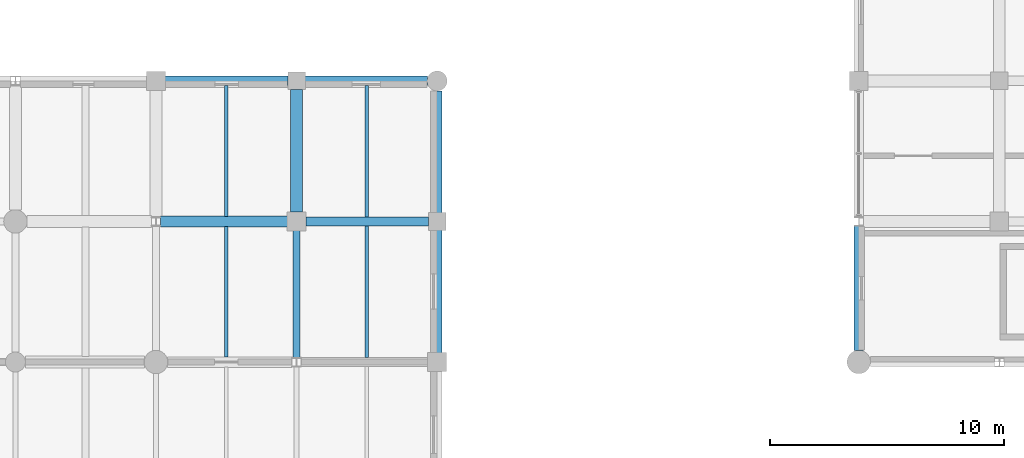
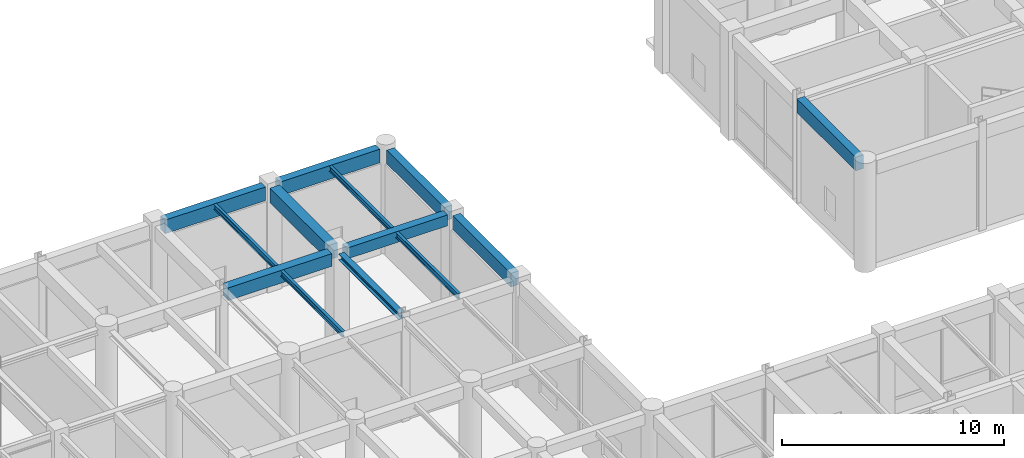
# One storey, part 37 of 106: 13 beams.
"""IFC4 building model written with IfcOpenShell, lengths in metres."""

from ifc_helpers import new_model, si_unit, direction, frame, origin, origin_2d, place, context, subcontext, project, spatial, rectangle, i_section, extrude, material, material_profile, profile_set, type_object, element, save


model = new_model("IFC4")

# Units and contexts
model_context = context("Model", 3, precision=1e-05, world=origin(), true_north=direction((0.0, 1.0)))
body_context = subcontext(model_context, "Body", "Model", "MODEL_VIEW")
ifc_project = project(units=[si_unit("LENGTHUNIT", "METRE"), si_unit("AREAUNIT", "SQUARE_METRE"), si_unit("VOLUMEUNIT", "CUBIC_METRE"), si_unit("PLANEANGLEUNIT", "RADIAN"), si_unit("MASSUNIT", "GRAM", prefix="KILO"), si_unit("THERMODYNAMICTEMPERATUREUNIT", "KELVIN"), si_unit("POWERUNIT", "WATT")], contexts=[model_context])

# Site, building, storey
site_placement = place(None, origin())
site = spatial("IfcSite", under=ifc_project, at=site_placement, CompositionType="ELEMENT")
building_placement = place(site_placement, origin())
building = spatial("IfcBuilding", under=site, at=building_placement, Name="Phaisarnlok Congress Hotel", CompositionType="ELEMENT")
storey_placement = place(building_placement, origin())
storey = spatial("IfcBuildingStorey", under=building, at=storey_placement, Name="L00", CompositionType="ELEMENT", Elevation=0.0)

# Beams
ifc_material_1 = material(Name="Concrete C40/50", Category="concrete")
ifc_material_profile_1 = material_profile(ifc_material_1, rectangle(XDim=0.39990234375, YDim=0.60009765625, at=origin_2d()), Name="RC 400x600")
ifc_profile_set_1 = profile_set([ifc_material_profile_1], Name="Concrete C40/50")
beam_type_1 = type_object("IfcBeamType", Name="BM-RC-400x600", PredefinedType="BEAM", material=ifc_profile_set_1)
beam_1_placement = place(storey_placement, frame((36.39501953125, 114.0, 5.43994140625), z_axis=(1.0, 0.0, 0.0), x_axis=(0.0, 1.0, 0.0)))
element("IfcBeam", 1, at=beam_1_placement, inside=storey, type_object=beam_type_1, Name="Beam B-02", PredefinedType="BEAM", context=body_context, shape_type="SweptSolid", body=[
    extrude(rectangle(XDim=0.39990234375, YDim=0.60009765625, at=origin_2d()), origin(), (0.0, 0.0, 1.0), 5.23486328125),
])
ifc_material_profile_2 = material_profile(ifc_material_1, rectangle(XDim=0.449951171875, YDim=0.699951171875, at=origin_2d()), Name="RC 450x700")
ifc_profile_set_2 = profile_set([ifc_material_profile_2], Name="Concrete C40/50")
beam_type_2 = type_object("IfcBeamType", Name="BM-RC-450x700", PredefinedType="BEAM", material=ifc_profile_set_2)
beam_2_placement = place(storey_placement, frame((30.195556640625, 114.0, 5.389892578125), z_axis=(1.0, 0.0, 0.0), x_axis=(0.0, 1.0, 0.0)))
element("IfcBeam", 2, at=beam_2_placement, inside=storey, type_object=beam_type_2, Name="Beam B-03", PredefinedType="BEAM", context=body_context, shape_type="SweptSolid", body=[
    extrude(rectangle(XDim=0.449951171875, YDim=0.699951171875, at=origin_2d()), origin(), (0.0, 0.0, 1.0), 5.409423828125),
])
ifc_material_profile_3 = material_profile(ifc_material_1, rectangle(XDim=0.5, YDim=0.800048828125, at=origin_2d()), Name="RC 500x800")
ifc_profile_set_3 = profile_set([ifc_material_profile_3], Name="Concrete C40/50")
beam_type_3 = type_object("IfcBeamType", Name="BM-RC-500x800", PredefinedType="BEAM", material=ifc_profile_set_3)
beam_3_placement = place(storey_placement, frame((36.0, 114.39501953125, 5.340087890625), z_axis=(0.0, 1.0, 0.0), x_axis=(-1.0, 0.0, 0.0)))
element("IfcBeam", 3, at=beam_3_placement, inside=storey, type_object=beam_type_3, Name="Beam B-04", PredefinedType="BEAM", context=body_context, shape_type="SweptSolid", body=[
    extrude(rectangle(XDim=0.5, YDim=0.800048828125, at=origin_2d()), origin(), (0.0, 0.0, 1.0), 5.23486328125),
])
ifc_material_2 = material(Name="Steel S355", Category="steel")
ifc_material_profile_4 = material_profile(ifc_material_2, i_section(OverallWidth=0.300048828125, OverallDepth=0.340087890625, WebThickness=0.011962890625, FlangeThickness=0.021484375, FilletRadius=0.027099609375, at=origin_2d()), Name="HEB 340")
ifc_profile_set_4 = profile_set([ifc_material_profile_4], Name="Steel S355")
beam_type_4 = type_object("IfcBeamType", Name="BM-STL-HEB340", PredefinedType="BEAM", material=ifc_profile_set_4)
beam_4_placement = place(storey_placement, frame((36.0, 108.194580078125, 5.570068359375), z_axis=(0.0, 1.0, 0.0), x_axis=(-1.0, 0.0, 0.0)))
element("IfcBeam", 4, at=beam_4_placement, inside=storey, type_object=beam_type_4, Name="Beam SB-07", PredefinedType="BEAM", context=body_context, shape_type="SweptSolid", body=[
    extrude(i_section(OverallWidth=0.300048828125, OverallDepth=0.340087890625, WebThickness=0.011962890625, FlangeThickness=0.021484375, FilletRadius=0.027099609375, at=origin_2d()), origin(), (0.0, 0.0, 1.0), 5.410400390625),
])
ifc_material_profile_5 = material_profile(ifc_material_2, i_section(OverallWidth=0.14990234375, OverallDepth=0.300048828125, WebThickness=0.007080078125, FlangeThickness=0.0107421875, FilletRadius=0.014892578125, at=origin_2d()), Name="IPE 300")
ifc_profile_set_5 = profile_set([ifc_material_profile_5], Name="Steel S355")
beam_type_5 = type_object("IfcBeamType", Name="JS-STL-IPE300", PredefinedType="JOIST", material=ifc_profile_set_5)
beam_5_placement = place(storey_placement, frame((33.0, 108.219970703125, 5.590087890625), z_axis=(0.0, 1.0, 0.0), x_axis=(-1.0, 0.0, 0.0)))
element("IfcBeam", 5, at=beam_5_placement, inside=storey, type_object=beam_type_5, Name="Secondary floor joist J-03", PredefinedType="JOIST", context=body_context, shape_type="SweptSolid", body=[
    extrude(i_section(OverallWidth=0.14990234375, OverallDepth=0.300048828125, WebThickness=0.007080078125, FlangeThickness=0.0107421875, FilletRadius=0.014892578125, at=origin_2d()), origin(), (0.0, 0.0, 1.0), 5.56005859375),
])
beam_6_placement = place(storey_placement, frame((33.0, 114.219970703125, 5.590087890625), z_axis=(0.0, 1.0, 0.0), x_axis=(-1.0, 0.0, 0.0)))
element("IfcBeam", 6, at=beam_6_placement, inside=storey, type_object=beam_type_5, Name="Secondary floor joist J-03", PredefinedType="JOIST", context=body_context, shape_type="SweptSolid", body=[
    extrude(i_section(OverallWidth=0.14990234375, OverallDepth=0.300048828125, WebThickness=0.007080078125, FlangeThickness=0.0107421875, FilletRadius=0.014892578125, at=origin_2d()), origin(), (0.0, 0.0, 1.0), 5.5849609375),
])
for number, where, z_axis, x_axis, name in (
    (7, (39.0, 108.195068359375, 5.590087890625), (0.0, 1.0, 0.0), (-1.0, 0.0, 0.0), "Secondary floor joist J-03"),
    (8, (39.0, 114.195068359375, 5.590087890625), (0.0, 1.0, 0.0), (-1.0, 0.0, 0.0), "Secondary floor joist J-03"),
):
    element("IfcBeam", number, at=place(storey_placement, frame(where, z_axis=z_axis, x_axis=x_axis)), inside=storey, type_object=beam_type_5, Name=name, PredefinedType="JOIST", context=body_context, shape_type="SweptSolid", body=[
        extrude(i_section(OverallWidth=0.14990234375, OverallDepth=0.300048828125, WebThickness=0.007080078125, FlangeThickness=0.0107421875, FilletRadius=0.014892578125, at=origin_2d()), origin(), (0.0, 0.0, 1.0), 5.60986328125),
    ])
ifc_material_profile_6 = material_profile(ifc_material_1, rectangle(XDim=0.39990234375, YDim=0.75, at=origin_2d()), Name="RC 400x750")
ifc_profile_set_6 = profile_set([ifc_material_profile_6], Name="Concrete C40/50")
beam_type_6 = type_object("IfcBeamType", Name="SP-RC-400x750", PredefinedType="SPANDREL", material=ifc_profile_set_6)
beam_7_placement = place(storey_placement, frame((30.39501953125, 120.0, 5.364990234375), z_axis=(1.0, 0.0, 0.0), x_axis=(0.0, 1.0, 0.0)))
element("IfcBeam", 9, at=beam_7_placement, inside=storey, type_object=beam_type_6, Name="Beam SP-02", PredefinedType="SPANDREL", context=body_context, shape_type="SweptSolid", body=[
    extrude(rectangle(XDim=0.39990234375, YDim=0.75, at=origin_2d()), origin(), (0.0, 0.0, 1.0), 5.23486328125),
])
beam_8_placement = place(storey_placement, frame((36.3701171875, 120.0, 5.364990234375), z_axis=(1.0, 0.0, 0.0), x_axis=(0.0, 1.0, 0.0)))
element("IfcBeam", 10, at=beam_8_placement, inside=storey, type_object=beam_type_6, Name="Beam SP-02", PredefinedType="SPANDREL", context=body_context, shape_type="SweptSolid", body=[
    extrude(rectangle(XDim=0.39990234375, YDim=0.75, at=origin_2d()), origin(), (0.0, 0.0, 1.0), 5.2099609375),
])
beam_9_placement = place(storey_placement, frame((42.0, 108.39501953125, 5.364990234375), z_axis=(0.0, 1.0, 0.0), x_axis=(-1.0, 0.0, 0.0)))
element("IfcBeam", 11, at=beam_9_placement, inside=storey, type_object=beam_type_6, Name="Beam SP-02", PredefinedType="SPANDREL", context=body_context, shape_type="SweptSolid", body=[
    extrude(rectangle(XDim=0.39990234375, YDim=0.75, at=origin_2d()), origin(), (0.0, 0.0, 1.0), 5.23486328125),
])
beam_10_placement = place(storey_placement, frame((42.0, 114.3701171875, 5.364990234375), z_axis=(0.0, 1.0, 0.0), x_axis=(-1.0, 0.0, 0.0)))
element("IfcBeam", 12, at=beam_10_placement, inside=storey, type_object=beam_type_6, Name="Beam SP-02", PredefinedType="SPANDREL", context=body_context, shape_type="SweptSolid", body=[
    extrude(rectangle(XDim=0.39990234375, YDim=0.75, at=origin_2d()), origin(), (0.0, 0.0, 1.0), 5.2099609375),
])
beam_11_placement = place(storey_placement, frame((60.0, 108.4951171875, 5.385009765625), z_axis=(0.0, 1.0, 0.0), x_axis=(-1.0, 0.0, 0.0)))
element("IfcBeam", 13, at=beam_11_placement, inside=storey, type_object=beam_type_6, Name="Beam SP-02", PredefinedType="SPANDREL", context=body_context, shape_type="SweptSolid", body=[
    extrude(rectangle(XDim=0.39990234375, YDim=0.75, at=origin_2d()), origin(), (0.0, 0.0, 1.0), 5.310302734375),
])

save(model, "model.ifc")
